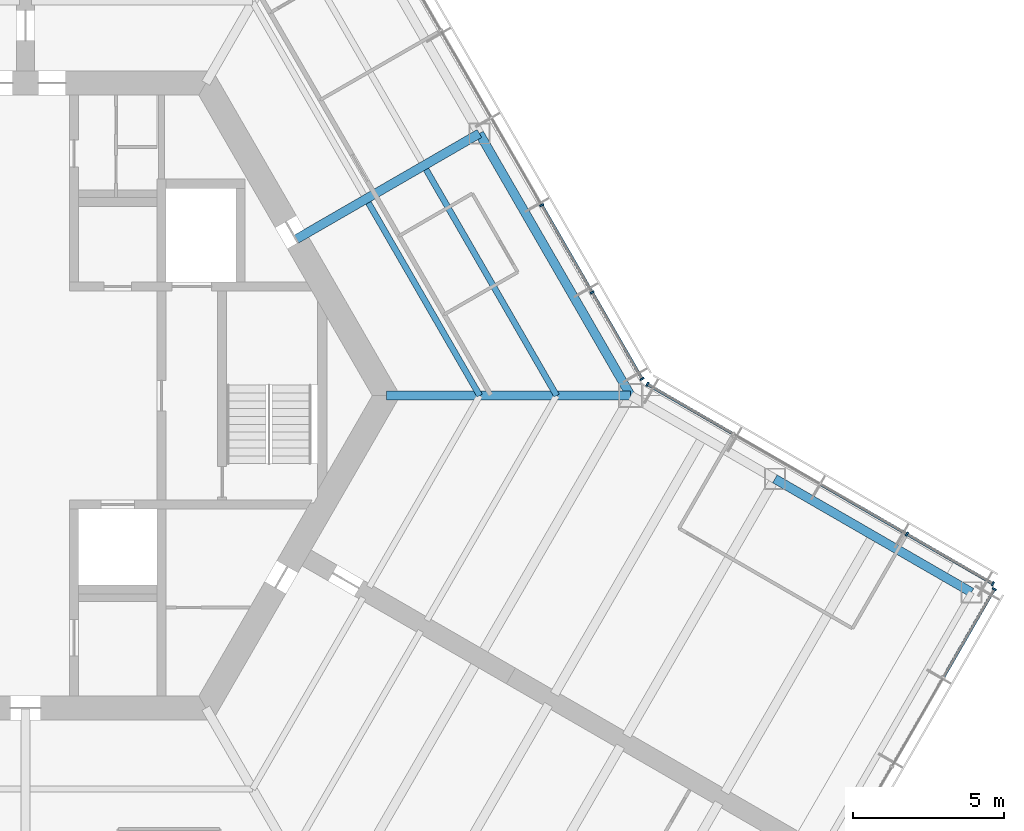
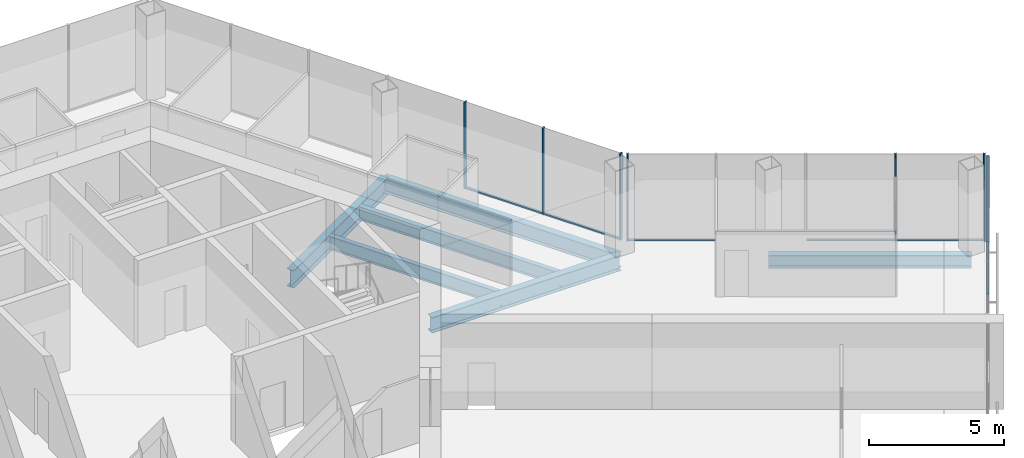
# One storey, part 5 of 15: 13 members, 6 beams, 3 elements without a shape of their own.
"""IFC4 building model written with IfcOpenShell, lengths in metres."""

from ifc_helpers import new_model, si_unit, direction, frame, origin, origin_2d, place, context, subcontext, project, spatial, rectangle, i_section, extrude, material, material_profile, profile_set, type_object, element, aggregate, save


model = new_model("IFC4")

# Units and contexts
model_context = context("Model", 3, precision=1e-05, world=origin(), true_north=direction((0.0, 1.0)))
body_context = subcontext(model_context, "Body", "Model", "MODEL_VIEW")
ifc_project = project(units=[si_unit("LENGTHUNIT", "METRE"), si_unit("AREAUNIT", "SQUARE_METRE"), si_unit("VOLUMEUNIT", "CUBIC_METRE"), si_unit("PLANEANGLEUNIT", "RADIAN"), si_unit("MASSUNIT", "GRAM", prefix="KILO")], contexts=[model_context])

# Site, building, storey
site_placement = place(None, origin())
site = spatial("IfcSite", under=ifc_project, at=site_placement, CompositionType="ELEMENT")
building_placement = place(site_placement, origin())
building = spatial("IfcBuilding", under=site, at=building_placement, Name="Kasaneha Research Tower", CompositionType="ELEMENT")
storey_placement = place(building_placement, frame((0.0, 0.0, 240.10009765625)))
storey = spatial("IfcBuildingStorey", under=building, at=storey_placement, Name="L60", CompositionType="ELEMENT", Elevation=240.10009765625)

# Beams
ifc_material_1 = material(Name="Steel SN490B", Category="steel")
ifc_material_profile_1 = material_profile(ifc_material_1, i_section(OverallWidth=0.199951171875, OverallDepth=0.60009765625, WebThickness=0.010986328125, FlangeThickness=0.01708984375, FilletRadius=0.012939453125, at=origin_2d()), Name="H-600x200x11x17")
ifc_profile_set_1 = profile_set([ifc_material_profile_1], Name="Steel SN490B")
beam_type_1 = type_object("IfcBeamType", Name="B1-3 secondary beam H-600x200x11x17", PredefinedType="JOIST", material=ifc_profile_set_1)
beam_1_placement = place(storey_placement, frame((15.010986328125, 0.0, -0.4501953125), z_axis=(-0.499994443168, 0.866028611999, 0.0), x_axis=(-0.866028611999, -0.499994443168, 0.0)))
element("IfcBeam", 1, at=beam_1_placement, inside=storey, type_object=beam_type_1, Name="Secondary beam RS030L1 L60", PredefinedType="JOIST", context=body_context, shape_type="SweptSolid", body=[
    extrude(i_section(OverallWidth=0.199951171875, OverallDepth=0.60009765625, WebThickness=0.010986328125, FlangeThickness=0.01708984375, FilletRadius=0.012939453125, at=origin_2d()), origin(), (0.0, 0.0, 1.0), 7.35546875),
])
beam_2_placement = place(storey_placement, frame((17.551513671875, 0.0, -0.4501953125), z_axis=(-0.5000050195, 0.866022505755, 0.0), x_axis=(-0.866022505755, -0.5000050195, 0.0)))
element("IfcBeam", 2, at=beam_2_placement, inside=storey, type_object=beam_type_1, Name="Secondary beam RS030L2 L60", PredefinedType="JOIST", context=body_context, shape_type="SweptSolid", body=[
    extrude(i_section(OverallWidth=0.199951171875, OverallDepth=0.60009765625, WebThickness=0.010986328125, FlangeThickness=0.01708984375, FilletRadius=0.012939453125, at=origin_2d()), origin(), (0.0, 0.0, 1.0), 8.6259765625),
])

# Curtain wall, members
ifc_material_2 = material(Name="Glass and aluminium", Category="aluminium")
curtain_wall_type = type_object("IfcCurtainWallType", Name="High-rise office curtain wall", PredefinedType="USERDEFINED", material=ifc_material_2)
curtain_wall_1_placement = place(storey_placement, origin())
curtain_wall_1 = element("IfcCurtainWall", 3, at=curtain_wall_1_placement, inside=storey, type_object=curtain_wall_type, Name="CW-O3 L60 run 01a", ObjectType="UNITISED CURTAIN WALL", PredefinedType="USERDEFINED")
ifc_material_3 = material(Name="Aluminium 6063-T6", Category="aluminium")
ifc_material_profile_2 = material_profile(ifc_material_3, rectangle(XDim=0.06005859375, YDim=0.139892578125, at=origin_2d()), Name="CW-O3 mullion 60x140")
ifc_profile_set_2 = profile_set([ifc_material_profile_2], Name="Aluminium 6063-T6")
member_type_1 = type_object("IfcMemberType", Name="CW-O3 mullion", PredefinedType="MULLION", material=ifc_profile_set_2)
member_1_placement = place(storey_placement, frame((20.374267578125, 0.5517578125, 0.0), z_axis=(0.0, 0.0, 1.0), x_axis=(-0.499999979232, 0.866025415775, 0.0)))
member_1 = element("IfcMember", 4, at=member_1_placement, type_object=member_type_1, Name="CW-O3 mullion 1", PredefinedType="MULLION", context=body_context, shape_type="SweptSolid", body=[
    extrude(rectangle(XDim=0.06005859375, YDim=0.139892578125, at=origin_2d()), origin(), (0.0, 0.0, 1.0), 3.89990234375),
])
member_2_placement = place(storey_placement, frame((18.723876953125, 3.410400390625, 0.0), z_axis=(0.0, 0.0, 1.0), x_axis=(-0.499999979232, 0.866025415775, 0.0)))
member_2 = element("IfcMember", 5, at=member_2_placement, type_object=member_type_1, Name="CW-O3 mullion 2", PredefinedType="MULLION", context=body_context, shape_type="SweptSolid", body=[
    extrude(rectangle(XDim=0.06005859375, YDim=0.139892578125, at=origin_2d()), origin(), (0.0, 0.0, 1.0), 3.89990234375),
])
member_3_placement = place(storey_placement, frame((17.058349609375, 6.295166015625, 0.0), z_axis=(0.0, 0.0, 1.0), x_axis=(-0.499999979232, 0.866025415775, 0.0)))
member_3 = element("IfcMember", 6, at=member_3_placement, type_object=member_type_1, Name="CW-O3 mullion 3", PredefinedType="MULLION", context=body_context, shape_type="SweptSolid", body=[
    extrude(rectangle(XDim=0.06005859375, YDim=0.139892578125, at=origin_2d()), origin(), (0.0, 0.0, 1.0), 3.89990234375),
])

# Curtain wall, member
curtain_wall_2_placement = place(storey_placement, origin())
curtain_wall_2 = element("IfcCurtainWall", 7, at=curtain_wall_2_placement, inside=storey, type_object=curtain_wall_type, Name="CW-O3 L60 run 08a", ObjectType="UNITISED CURTAIN WALL", PredefinedType="USERDEFINED")
member_4_placement = place(storey_placement, frame((32.012939453125, -6.39306640625, 0.0), z_axis=(0.0, 0.0, 1.0), x_axis=(0.500000011442, 0.866025397178, 0.0)))
member_4 = element("IfcMember", 8, at=member_4_placement, type_object=member_type_1, Name="CW-O3 mullion 4", PredefinedType="MULLION", context=body_context, shape_type="SweptSolid", body=[
    extrude(rectangle(XDim=0.06005859375, YDim=0.139892578125, at=origin_2d()), origin(), (0.0, 0.0, 1.0), 3.89990234375),
])

# Curtain wall, members
curtain_wall_3_placement = place(storey_placement, origin())
curtain_wall_3 = element("IfcCurtainWall", 9, at=curtain_wall_3_placement, inside=storey, type_object=curtain_wall_type, Name="CW-O3 L60 run 09a", ObjectType="UNITISED CURTAIN WALL", PredefinedType="USERDEFINED")
member_5_placement = place(storey_placement, frame((31.96533203125, -6.21533203125, 0.0), z_axis=(0.0, 0.0, 1.0), x_axis=(-0.866025411464, 0.499999986699, 0.0)))
member_5 = element("IfcMember", 10, at=member_5_placement, type_object=member_type_1, Name="CW-O3 mullion 1", PredefinedType="MULLION", context=body_context, shape_type="SweptSolid", body=[
    extrude(rectangle(XDim=0.06005859375, YDim=0.139892578125, at=origin_2d()), origin(), (0.0, 0.0, 1.0), 3.89990234375),
])
member_6_placement = place(storey_placement, frame((29.125, -4.575439453125, 0.0), z_axis=(0.0, 0.0, 1.0), x_axis=(-0.866025411464, 0.499999986699, 0.0)))
member_6 = element("IfcMember", 11, at=member_6_placement, type_object=member_type_1, Name="CW-O3 mullion 2", PredefinedType="MULLION", context=body_context, shape_type="SweptSolid", body=[
    extrude(rectangle(XDim=0.06005859375, YDim=0.139892578125, at=origin_2d()), origin(), (0.0, 0.0, 1.0), 3.89990234375),
])
member_7_placement = place(storey_placement, frame((20.5517578125, 0.374267578125, 0.0), z_axis=(0.0, 0.0, 1.0), x_axis=(-0.866025411464, 0.499999986699, 0.0)))
member_7 = element("IfcMember", 12, at=member_7_placement, type_object=member_type_1, Name="CW-O3 mullion 5", PredefinedType="MULLION", context=body_context, shape_type="SweptSolid", body=[
    extrude(rectangle(XDim=0.06005859375, YDim=0.139892578125, at=origin_2d()), origin(), (0.0, 0.0, 1.0), 3.89990234375),
])

# Member
ifc_material_4 = material(Name="Aluminium 6063-T6", Category="aluminium")
ifc_material_profile_3 = material_profile(ifc_material_4, rectangle(XDim=0.10009765625, YDim=0.06005859375, at=origin_2d()), Name="CW-O3 transom 100x60")
ifc_profile_set_3 = profile_set([ifc_material_profile_3], Name="Aluminium 6063-T6")
member_type_2 = type_object("IfcMemberType", Name="CW-O3 transom", PredefinedType="USERDEFINED", material=ifc_profile_set_3)
member_8_placement = place(storey_placement, frame((20.359130859375, 0.577880859375, 0.02978515625), z_axis=(-0.499987643696, 0.866032537582, 0.0), x_axis=(-0.866032537582, -0.499987643696, 0.0)))
member_8 = element("IfcMember", 13, at=member_8_placement, type_object=member_type_2, Name="CW-O3 transom 1", ObjectType="TRANSOM", PredefinedType="USERDEFINED", context=body_context, shape_type="SweptSolid", body=[
    extrude(rectangle(XDim=0.10009765625, YDim=0.06005859375, at=origin_2d()), origin(), (0.0, 0.0, 1.0), 3.24072265625),
])

member_9_placement = place(storey_placement, frame((18.708740234375, 3.4365234375, 0.02978515625), z_axis=(-0.500000270186, 0.866025247793, 0.0), x_axis=(-0.866025247793, -0.500000270186, 0.0)))
member_9 = element("IfcMember", 14, at=member_9_placement, type_object=member_type_2, Name="CW-O3 transom 2", ObjectType="TRANSOM", PredefinedType="USERDEFINED", context=body_context, shape_type="SweptSolid", body=[
    extrude(rectangle(XDim=0.10009765625, YDim=0.06005859375, at=origin_2d()), origin(), (0.0, 0.0, 1.0), 3.27099609375),
])

aggregate(curtain_wall_1, [member_1, member_2, member_3, member_8, member_9])

member_10_placement = place(storey_placement, frame((30.343017578125, -9.285400390625, 0.02978515625), z_axis=(0.500018282537, 0.866014848099, 0.0), x_axis=(-0.866014848099, 0.500018282537, 0.0)))
member_10 = element("IfcMember", 15, at=member_10_placement, type_object=member_type_2, Name="CW-O3 transom 3", ObjectType="TRANSOM", PredefinedType="USERDEFINED", context=body_context, shape_type="SweptSolid", body=[
    extrude(rectangle(XDim=0.10009765625, YDim=0.06005859375, at=origin_2d()), origin(), (0.0, 0.0, 1.0), 3.31005859375),
])

aggregate(curtain_wall_2, [member_4, member_10])

member_11_placement = place(storey_placement, frame((31.939453125, -6.200439453125, 0.02978515625), z_axis=(-0.866041647767, 0.499971863542, 0.0), x_axis=(-0.499971863542, -0.866041647767, 0.0)))
member_11 = element("IfcMember", 16, at=member_11_placement, type_object=member_type_2, Name="CW-O3 transom 1", ObjectType="TRANSOM", PredefinedType="USERDEFINED", context=body_context, shape_type="SweptSolid", body=[
    extrude(rectangle(XDim=0.10009765625, YDim=0.06005859375, at=origin_2d()), origin(), (0.0, 0.0, 1.0), 3.219970703125),
])

member_12_placement = place(storey_placement, frame((29.098876953125, -4.560546875, 0.02978515625), z_axis=(-0.86599666273, 0.500049777664, 0.0), x_axis=(-0.500049777664, -0.86599666273, 0.0)))
member_12 = element("IfcMember", 17, at=member_12_placement, type_object=member_type_2, Name="CW-O3 transom 2", ObjectType="TRANSOM", PredefinedType="USERDEFINED", context=body_context, shape_type="SweptSolid", body=[
    extrude(rectangle(XDim=0.10009765625, YDim=0.06005859375, at=origin_2d()), origin(), (0.0, 0.0, 1.0), 3.249755859375),
])

member_13_placement = place(storey_placement, frame((23.3662109375, -1.250732421875, 0.02978515625), z_axis=(-0.866022692473, 0.500004696101, 0.0), x_axis=(-0.500004696101, -0.866022692473, 0.0)))
member_13 = element("IfcMember", 18, at=member_13_placement, type_object=member_type_2, Name="CW-O3 transom 4", ObjectType="TRANSOM", PredefinedType="USERDEFINED", context=body_context, shape_type="SweptSolid", body=[
    extrude(rectangle(XDim=0.10009765625, YDim=0.06005859375, at=origin_2d()), origin(), (0.0, 0.0, 1.0), 3.2197265625),
])

aggregate(curtain_wall_3, [member_5, member_6, member_7, member_11, member_12, member_13])

# Beams
ifc_material_5 = material(Name="Steel SN490B", Category="steel")
ifc_material_profile_4 = material_profile(ifc_material_5, i_section(OverallWidth=0.300048828125, OverallDepth=0.699951171875, WebThickness=0.012939453125, FlangeThickness=0.02392578125, FilletRadius=0.01806640625, at=origin_2d()), Name="H-700x300x13x24")
ifc_profile_set_4 = profile_set([ifc_material_profile_4], Name="Steel SN490B")
beam_type_2 = type_object("IfcBeamType", Name="G1-3 radial girder H-700x300x13x24", PredefinedType="BEAM", material=ifc_profile_set_4)
beam_3_placement = place(storey_placement, frame((11.92236328125, 0.0, -0.5), z_axis=(1.0, 0.0, 0.0), x_axis=(0.0, 1.0, 0.0)))
element("IfcBeam", 19, at=beam_3_placement, inside=storey, type_object=beam_type_2, Name="Radial girder RV000 L60", PredefinedType="BEAM", context=body_context, shape_type="SweptSolid", body=[
    extrude(i_section(OverallWidth=0.300048828125, OverallDepth=0.699951171875, WebThickness=0.012939453125, FlangeThickness=0.02392578125, FilletRadius=0.01806640625, at=origin_2d()), origin(), (0.0, 0.0, 1.0), 8.07763671875),
])
ifc_material_6 = material(Name="Steel SN490B", Category="steel")
ifc_material_profile_5 = material_profile(ifc_material_6, i_section(OverallWidth=0.300048828125, OverallDepth=0.800048828125, WebThickness=0.013916015625, FlangeThickness=0.02587890625, FilletRadius=0.01806640625, at=origin_2d()), Name="H-800x300x14x26")
ifc_profile_set_5 = profile_set([ifc_material_profile_5], Name="Steel SN490B")
beam_type_3 = type_object("IfcBeamType", Name="G2-3 radial girder H-800x300x14x26", PredefinedType="BEAM", material=ifc_profile_set_5)
beam_4_placement = place(storey_placement, frame((8.941650390625, 5.16259765625, -0.550048828125), z_axis=(0.866039713508, 0.499975214012, 0.0), x_axis=(-0.499975214012, 0.866039713508, 0.0)))
element("IfcBeam", 20, at=beam_4_placement, inside=storey, type_object=beam_type_3, Name="Radial girder RM030 L60", PredefinedType="BEAM", context=body_context, shape_type="SweptSolid", body=[
    extrude(i_section(OverallWidth=0.300048828125, OverallDepth=0.800048828125, WebThickness=0.013916015625, FlangeThickness=0.02587890625, FilletRadius=0.01806640625, at=origin_2d()), origin(), (0.0, 0.0, 1.0), 6.995361328125),
])
ifc_material_7 = material(Name="Steel SN490B", Category="steel")
ifc_material_profile_6 = material_profile(ifc_material_7, i_section(OverallWidth=0.300048828125, OverallDepth=0.69189453125, WebThickness=0.012939453125, FlangeThickness=0.02001953125, FilletRadius=0.01806640625, at=origin_2d()), Name="H-692x300x13x20")
ifc_profile_set_6 = profile_set([ifc_material_profile_6], Name="Steel SN490B")
beam_type_4 = type_object("IfcBeamType", Name="SB1-3 spandrel beam H-692x300x13x20", PredefinedType="SPANDREL", material=ifc_profile_set_6)
beam_5_placement = place(storey_placement, frame((20.0, 0.0, -0.49609375), z_axis=(-0.500004234368, 0.866022959057, 0.0), x_axis=(-0.866022959057, -0.500004234368, 0.0)))
element("IfcBeam", 21, at=beam_5_placement, inside=storey, type_object=beam_type_4, Name="Spandrel beam SR030L L60", PredefinedType="SPANDREL", context=body_context, shape_type="SweptSolid", body=[
    extrude(i_section(OverallWidth=0.300048828125, OverallDepth=0.69189453125, WebThickness=0.012939453125, FlangeThickness=0.02001953125, FilletRadius=0.01806640625, at=origin_2d()), origin(), (0.0, 0.0, 1.0), 10.0),
])
ifc_material_8 = material(Name="Steel SN490B", Category="steel")
ifc_material_profile_7 = material_profile(ifc_material_8, i_section(OverallWidth=0.300048828125, OverallDepth=0.58203125, WebThickness=0.011962890625, FlangeThickness=0.01708984375, FilletRadius=0.012939453125, at=origin_2d()), Name="H-582x300x12x17")
ifc_profile_set_7 = profile_set([ifc_material_profile_7], Name="Steel SN490B")
beam_type_5 = type_object("IfcBeamType", Name="SB2-3 spandrel beam H-582x300x12x17", PredefinedType="SPANDREL", material=ifc_profile_set_7)
beam_6_placement = place(storey_placement, frame((24.76318359375, -2.75, -0.441162109375), z_axis=(0.866022959057, -0.500004234368, 0.0), x_axis=(0.500004234368, 0.866022959057, 0.0)))
element("IfcBeam", 22, at=beam_6_placement, inside=storey, type_object=beam_type_5, Name="Spandrel beam WSCN2 L60", PredefinedType="SPANDREL", context=body_context, shape_type="SweptSolid", body=[
    extrude(i_section(OverallWidth=0.300048828125, OverallDepth=0.58203125, WebThickness=0.011962890625, FlangeThickness=0.01708984375, FilletRadius=0.012939453125, at=origin_2d()), origin(), (0.0, 0.0, 1.0), 7.5),
])

save(model, "model.ifc")
